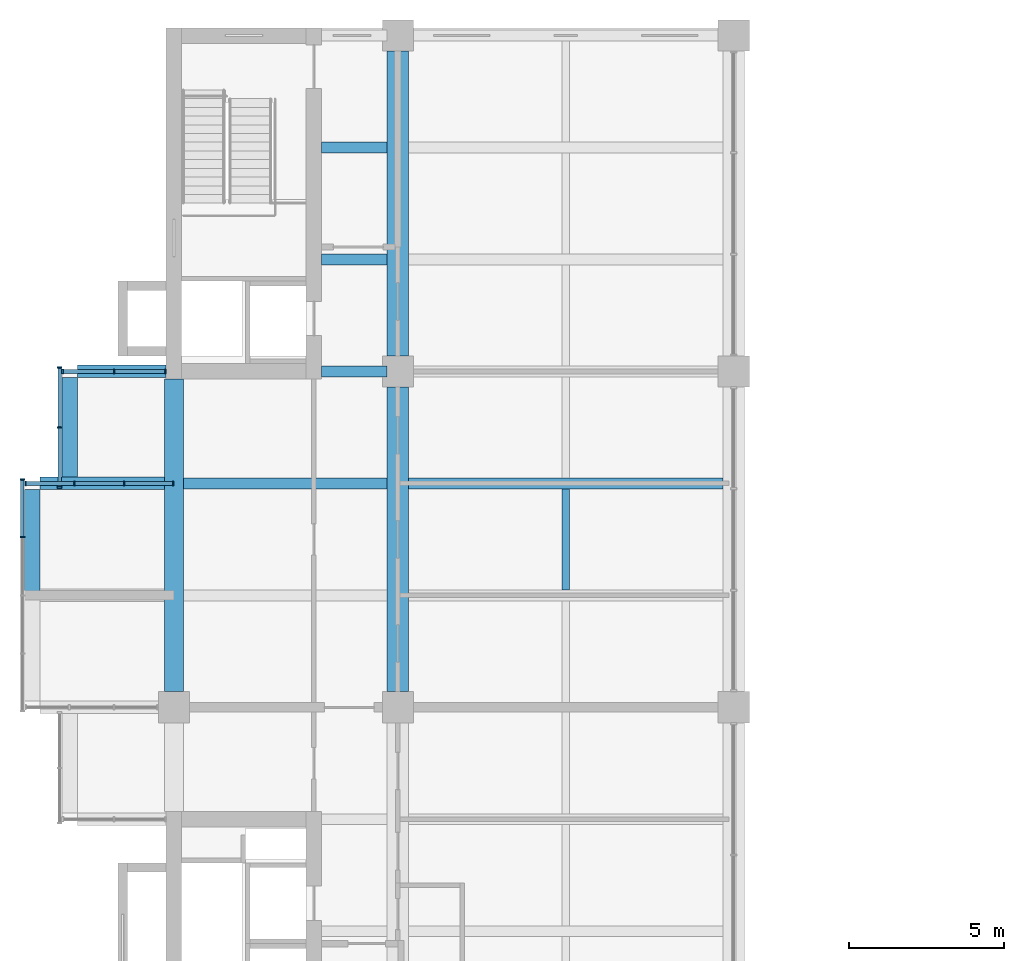
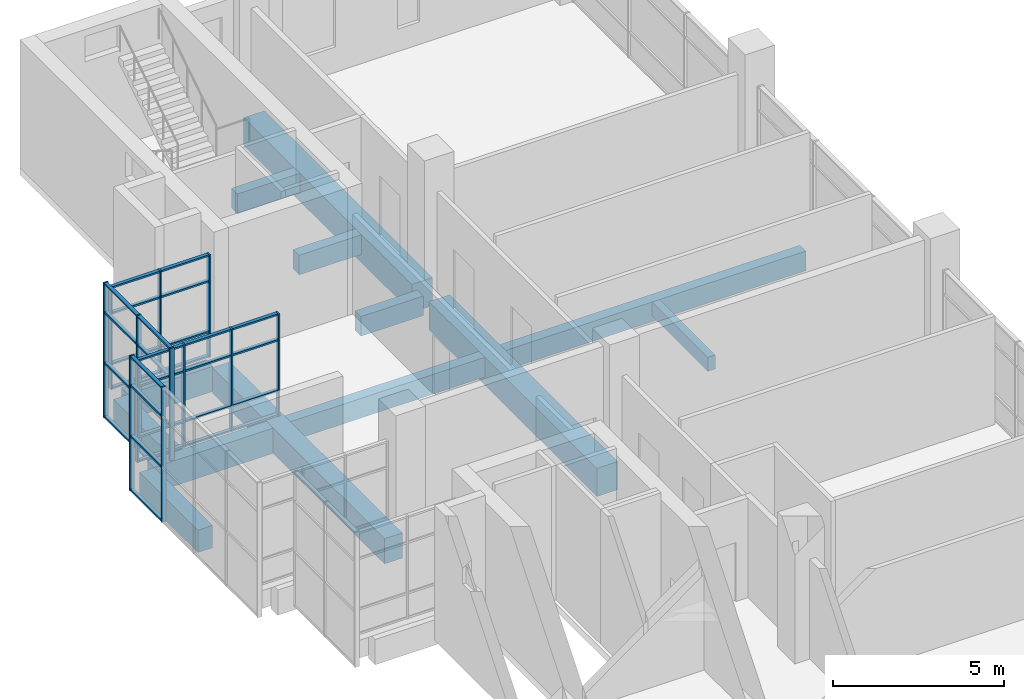
# One storey, part 11 of 35: 44 members, 13 beams, 4 elements without a shape of their own.
"""IFC4 building model written with IfcOpenShell, lengths in metres."""

from ifc_helpers import new_model, si_unit, direction, frame, origin, origin_2d, place, context, subcontext, project, spatial, rectangle, extrude, material, layer, layer_set, material_profile, profile_set, type_object, element, aggregate, save


model = new_model("IFC4")

# Units and contexts
model_context = context("Model", 3, precision=1e-05, world=origin(), true_north=direction((0.0, 1.0)))
body_context = subcontext(model_context, "Body", "Model", "MODEL_VIEW")
ifc_project = project(units=[si_unit("LENGTHUNIT", "METRE"), si_unit("AREAUNIT", "SQUARE_METRE"), si_unit("VOLUMEUNIT", "CUBIC_METRE"), si_unit("PLANEANGLEUNIT", "RADIAN"), si_unit("MASSUNIT", "GRAM", prefix="KILO")], contexts=[model_context])

# Site, building, storey
site_placement = place(None, origin())
site = spatial("IfcSite", under=ifc_project, at=site_placement, CompositionType="ELEMENT")
building_placement = place(site_placement, origin())
building = spatial("IfcBuilding", under=site, at=building_placement, Name="Basin Gate Institute", CompositionType="ELEMENT")
storey_placement = place(building_placement, frame((0.0, 0.0, 31.800048828125)))
storey = spatial("IfcBuildingStorey", under=building, at=storey_placement, Name="L06", CompositionType="ELEMENT", Elevation=31.800048828125)

# Beams
ifc_material_1 = material(Name="Concrete 40 MPa", Category="concrete")
ifc_material_profile_1 = material_profile(ifc_material_1, rectangle(XDim=0.35009765625, YDim=0.699951171875, at=origin_2d()), Name="Beam B1 350 x 700")
ifc_profile_set_1 = profile_set([ifc_material_profile_1], Name="Concrete 40 MPa")
beam_type_1 = type_object("IfcBeamType", Name="Beam B1 R120", PredefinedType="BEAM", material=ifc_profile_set_1)
beam_1_placement = place(storey_placement, frame((68.75, 85.5, -0.60009765625), z_axis=(1.0, 0.0, 0.0), x_axis=(0.0, 1.0, 0.0)))
element("IfcBeam", 1, at=beam_1_placement, inside=storey, type_object=beam_type_1, material=ifc_profile_set_1, Name="BEAM/L06/W/EW/15", PredefinedType="BEAM", context=body_context, shape_type="SweptSolid", body=[
    extrude(rectangle(XDim=0.35009765625, YDim=0.699951171875, at=origin_2d()), origin(), (0.0, 0.0, 1.0), 10.10009765625),
])
beam_2_placement = place(storey_placement, frame((61.5, 85.5, -0.60009765625), z_axis=(1.0, 0.0, 0.0), x_axis=(0.0, 1.0, 0.0)))
element("IfcBeam", 2, at=beam_2_placement, inside=storey, type_object=beam_type_1, material=ifc_profile_set_1, Name="BEAM/L06/W/OUT/15", PredefinedType="BEAM", context=body_context, shape_type="SweptSolid", body=[
    extrude(rectangle(XDim=0.35009765625, YDim=0.699951171875, at=origin_2d()), origin(), (0.0, 0.0, 1.0), 6.550048828125),
])
for number, where, z_axis, x_axis, name in (
    (3, (65.949951171875, 89.10009765625, -0.60009765625), (1.0, 0.0, 0.0), (0.0, 1.0, 0.0), "BEAM/L06/W/CORR/16"),
    (4, (65.949951171875, 92.699951171875, -0.60009765625), (1.0, 0.0, 0.0), (0.0, 1.0, 0.0), "BEAM/L06/W/CORR/17"),
    (5, (65.949951171875, 96.300048828125, -0.60009765625), (1.0, 0.0, 0.0), (0.0, 1.0, 0.0), "BEAM/L06/W/CORR/18"),
):
    element("IfcBeam", number, at=place(storey_placement, frame(where, z_axis=z_axis, x_axis=x_axis)), inside=storey, type_object=beam_type_1, material=ifc_profile_set_1, Name=name, PredefinedType="BEAM", context=body_context, shape_type="SweptSolid", body=[
        extrude(rectangle(XDim=0.35009765625, YDim=0.699951171875, at=origin_2d()), origin(), (0.0, 0.0, 1.0), 2.10009765625),
    ])
ifc_material_2 = material(Name="Concrete 50 MPa", Category="concrete")
ifc_material_profile_2 = material_profile(ifc_material_2, rectangle(XDim=0.39990234375, YDim=0.89990234375, at=origin_2d()), Name="Cantilever beam B3 400 x 900")
ifc_profile_set_2 = profile_set([ifc_material_profile_2], Name="Concrete 50 MPa")
beam_type_2 = type_object("IfcBeamType", Name="Cantilever beam B3 R120", PredefinedType="BEAM", material=ifc_profile_set_2)
beam_3_placement = place(storey_placement, frame((56.89990234375, 85.5, -0.699951171875), z_axis=(1.0, 0.0, 0.0), x_axis=(0.0, 1.0, 0.0)))
element("IfcBeam", 6, at=beam_3_placement, inside=storey, type_object=beam_type_2, material=ifc_profile_set_2, Name="BEAM/L06/W/CANT/15", PredefinedType="BEAM", context=body_context, shape_type="SweptSolid", body=[
    extrude(rectangle(XDim=0.39990234375, YDim=0.89990234375, at=origin_2d()), origin(), (0.0, 0.0, 1.0), 4.0),
])
beam_4_placement = place(storey_placement, frame((58.10009765625, 89.10009765625, -0.699951171875), z_axis=(1.0, 0.0, 0.0), x_axis=(0.0, 1.0, 0.0)))
element("IfcBeam", 7, at=beam_4_placement, inside=storey, type_object=beam_type_2, material=ifc_profile_set_2, Name="BEAM/L06/W/CANT/16", PredefinedType="BEAM", context=body_context, shape_type="SweptSolid", body=[
    extrude(rectangle(XDim=0.39990234375, YDim=0.89990234375, at=origin_2d()), origin(), (0.0, 0.0, 1.0), 2.849853515625),
])
ifc_material_3 = material(Name="Concrete 50 MPa", Category="concrete")
ifc_material_profile_3 = material_profile(ifc_material_3, rectangle(XDim=0.60009765625, YDim=0.89990234375, at=origin_2d()), Name="Edge beam EB1 600 x 900")
ifc_profile_set_3 = profile_set([ifc_material_profile_3], Name="Concrete 50 MPa")
beam_type_3 = type_object("IfcBeamType", Name="Edge beam EB1 R120", PredefinedType="SPANDREL", material=ifc_profile_set_3)
beam_5_placement = place(storey_placement, frame((61.199951171875, 78.800048828125, -0.699951171875), z_axis=(0.0, 1.0, 0.0), x_axis=(-1.0, 0.0, 0.0)))
element("IfcBeam", 8, at=beam_5_placement, inside=storey, type_object=beam_type_3, material=ifc_profile_set_3, Name="BEAM/L06/W/EDGE/4", PredefinedType="SPANDREL", context=body_context, shape_type="SweptSolid", body=[
    extrude(rectangle(XDim=0.60009765625, YDim=0.89990234375, at=origin_2d()), origin(), (0.0, 0.0, 1.0), 10.050048828125),
])
ifc_material_4 = material(Name="Concrete 50 MPa", Category="concrete")
ifc_material_profile_4 = material_profile(ifc_material_4, rectangle(XDim=0.699951171875, YDim=1.0, at=origin_2d()), Name="Girder G1 700 x 1000")
ifc_profile_set_4 = profile_set([ifc_material_profile_4], Name="Concrete 50 MPa")
beam_type_4 = type_object("IfcBeamType", Name="Girder G1 R120", PredefinedType="BEAM", material=ifc_profile_set_4)
beam_6_placement = place(storey_placement, frame((68.39990234375, 78.800048828125, -0.75), z_axis=(0.0, 1.0, 0.0), x_axis=(-1.0, 0.0, 0.0)))
element("IfcBeam", 9, at=beam_6_placement, inside=storey, type_object=beam_type_4, material=ifc_profile_set_4, Name="GIR/L06/W5/5", PredefinedType="BEAM", context=body_context, shape_type="SweptSolid", body=[
    extrude(rectangle(XDim=0.699951171875, YDim=1.0, at=origin_2d()), origin(), (0.0, 0.0, 1.0), 9.800048828125),
])
beam_7_placement = place(storey_placement, frame((68.39990234375, 89.60009765625, -0.75), z_axis=(0.0, 1.0, 0.0), x_axis=(-1.0, 0.0, 0.0)))
element("IfcBeam", 10, at=beam_7_placement, inside=storey, type_object=beam_type_4, material=ifc_profile_set_4, Name="GIR/L06/W5/6", PredefinedType="BEAM", context=body_context, shape_type="SweptSolid", body=[
    extrude(rectangle(XDim=0.699951171875, YDim=1.0, at=origin_2d()), origin(), (0.0, 0.0, 1.0), 9.7998046875),
])

# Curtain wall, members
ifc_material_5 = material(Name="Aluminium-framed glazing", Category="aluminium")
ifc_layer = layer(ifc_material_5, 0.14990234375)
ifc_layer_set = layer_set([ifc_layer], Name="Capsule front curtain wall CW1")
curtain_wall_type = type_object("IfcCurtainWallType", Name="Capsule front curtain wall CW1", PredefinedType="NOTDEFINED", material=ifc_layer_set)
curtain_wall_1_placement = place(storey_placement, origin())
curtain_wall_1 = element("IfcCurtainWall", 11, at=curtain_wall_1_placement, inside=storey, type_object=curtain_wall_type, material=ifc_layer_set, Name="Capsule front curtain wall W wing capsule end L06 line 15", PredefinedType="NOTDEFINED")
ifc_material_6 = material(Name="Aluminium", Category="aluminium")
ifc_material_profile_5 = material_profile(ifc_material_6, rectangle(XDim=0.14990234375, YDim=0.050048828125, at=origin_2d()), Name="Mullion MU1 150 x 50")
ifc_profile_set_5 = profile_set([ifc_material_profile_5], Name="Aluminium")
member_type_1 = type_object("IfcMemberType", Name="Mullion MU1", PredefinedType="MULLION", material=ifc_profile_set_5)
member_1_placement = place(storey_placement, frame((56.425048828125, 85.5, 0.0), z_axis=(0.0, 0.0, 1.0), x_axis=(0.0, 1.0, 0.0)))
member_1 = element("IfcMember", 12, at=member_1_placement, type_object=member_type_1, material=ifc_profile_set_5, Name="CW1 mullion 1", PredefinedType="MULLION", context=body_context, shape_type="SweptSolid", body=[
    extrude(rectangle(XDim=0.14990234375, YDim=0.050048828125, at=origin_2d()), origin(), (0.0, 0.0, 1.0), 3.64990234375),
])
member_2_placement = place(storey_placement, frame((58.0, 85.5, 0.0), z_axis=(0.0, 0.0, 1.0), x_axis=(0.0, 1.0, 0.0)))
member_2 = element("IfcMember", 13, at=member_2_placement, type_object=member_type_1, material=ifc_profile_set_5, Name="CW1 mullion 2", PredefinedType="MULLION", context=body_context, shape_type="SweptSolid", body=[
    extrude(rectangle(XDim=0.14990234375, YDim=0.050048828125, at=origin_2d()), origin(), (0.0, 0.0, 1.0), 3.64990234375),
])
member_3_placement = place(storey_placement, frame((59.60009765625, 85.5, 0.0), z_axis=(0.0, 0.0, 1.0), x_axis=(0.0, 1.0, 0.0)))
member_3 = element("IfcMember", 14, at=member_3_placement, type_object=member_type_1, material=ifc_profile_set_5, Name="CW1 mullion 3", PredefinedType="MULLION", context=body_context, shape_type="SweptSolid", body=[
    extrude(rectangle(XDim=0.14990234375, YDim=0.050048828125, at=origin_2d()), origin(), (0.0, 0.0, 1.0), 3.64990234375),
])
member_4_placement = place(storey_placement, frame((61.175048828125, 85.5, 0.0), z_axis=(0.0, 0.0, 1.0), x_axis=(0.0, 1.0, 0.0)))
member_4 = element("IfcMember", 15, at=member_4_placement, type_object=member_type_1, material=ifc_profile_set_5, Name="CW1 mullion 4", PredefinedType="MULLION", context=body_context, shape_type="SweptSolid", body=[
    extrude(rectangle(XDim=0.14990234375, YDim=0.050048828125, at=origin_2d()), origin(), (0.0, 0.0, 1.0), 3.64990234375),
])

curtain_wall_2_placement = place(storey_placement, origin())
curtain_wall_2 = element("IfcCurtainWall", 16, at=curtain_wall_2_placement, inside=storey, type_object=curtain_wall_type, material=ifc_layer_set, Name="Capsule front curtain wall W wing capsule end L06 line 16", PredefinedType="NOTDEFINED")
member_5_placement = place(storey_placement, frame((57.625, 89.10009765625, 0.0), z_axis=(0.0, 0.0, 1.0), x_axis=(0.0, 1.0, 0.0)))
member_5 = element("IfcMember", 17, at=member_5_placement, type_object=member_type_1, material=ifc_profile_set_5, Name="CW1 mullion 1", PredefinedType="MULLION", context=body_context, shape_type="SweptSolid", body=[
    extrude(rectangle(XDim=0.14990234375, YDim=0.050048828125, at=origin_2d()), origin(), (0.0, 0.0, 1.0), 3.64990234375),
])
member_6_placement = place(storey_placement, frame((59.27490234375, 89.10009765625, 0.0), z_axis=(0.0, 0.0, 1.0), x_axis=(0.0, 1.0, 0.0)))
member_6 = element("IfcMember", 18, at=member_6_placement, type_object=member_type_1, material=ifc_profile_set_5, Name="CW1 mullion 2", PredefinedType="MULLION", context=body_context, shape_type="SweptSolid", body=[
    extrude(rectangle(XDim=0.14990234375, YDim=0.050048828125, at=origin_2d()), origin(), (0.0, 0.0, 1.0), 3.64990234375),
])
member_7_placement = place(storey_placement, frame((60.925048828125, 89.10009765625, 0.0), z_axis=(0.0, 0.0, 1.0), x_axis=(0.0, 1.0, 0.0)))
member_7 = element("IfcMember", 19, at=member_7_placement, type_object=member_type_1, material=ifc_profile_set_5, Name="CW1 mullion 3", PredefinedType="MULLION", context=body_context, shape_type="SweptSolid", body=[
    extrude(rectangle(XDim=0.14990234375, YDim=0.050048828125, at=origin_2d()), origin(), (0.0, 0.0, 1.0), 3.64990234375),
])

curtain_wall_3_placement = place(storey_placement, origin())
curtain_wall_3 = element("IfcCurtainWall", 20, at=curtain_wall_3_placement, inside=storey, type_object=curtain_wall_type, material=ifc_layer_set, Name="Capsule front curtain wall W wing capsule 2 L06 front 2", PredefinedType="NOTDEFINED")
member_8_placement = place(storey_placement, frame((56.324951171875, 83.77490234375, -1.050048828125), z_axis=(0.0, 0.0, 1.0), x_axis=(-1.0, 0.0, 0.0)))
member_8 = element("IfcMember", 21, at=member_8_placement, type_object=member_type_1, material=ifc_profile_set_5, Name="CW1 mullion 4", PredefinedType="MULLION", context=body_context, shape_type="SweptSolid", body=[
    extrude(rectangle(XDim=0.14990234375, YDim=0.050048828125, at=origin_2d()), origin(), (0.0, 0.0, 1.0), 4.800048828125),
])
member_9_placement = place(storey_placement, frame((56.324951171875, 85.625, -1.050048828125), z_axis=(0.0, 0.0, 1.0), x_axis=(-1.0, 0.0, 0.0)))
member_9 = element("IfcMember", 22, at=member_9_placement, type_object=member_type_1, material=ifc_profile_set_5, Name="CW1 mullion 5", PredefinedType="MULLION", context=body_context, shape_type="SweptSolid", body=[
    extrude(rectangle(XDim=0.14990234375, YDim=0.050048828125, at=origin_2d()), origin(), (0.0, 0.0, 1.0), 4.800048828125),
])

curtain_wall_4_placement = place(storey_placement, origin())
curtain_wall_4 = element("IfcCurtainWall", 23, at=curtain_wall_4_placement, inside=storey, type_object=curtain_wall_type, material=ifc_layer_set, Name="Capsule front curtain wall W wing capsule 2 L06 front 4", PredefinedType="NOTDEFINED")
member_10_placement = place(storey_placement, frame((57.52490234375, 85.375, -1.050048828125), z_axis=(0.0, 0.0, 1.0), x_axis=(-1.0, 0.0, 0.0)))
member_10 = element("IfcMember", 24, at=member_10_placement, type_object=member_type_1, material=ifc_profile_set_5, Name="CW1 mullion 1", PredefinedType="MULLION", context=body_context, shape_type="SweptSolid", body=[
    extrude(rectangle(XDim=0.14990234375, YDim=0.050048828125, at=origin_2d()), origin(), (0.0, 0.0, 1.0), 4.800048828125),
])
member_11_placement = place(storey_placement, frame((57.52490234375, 87.300048828125, -1.050048828125), z_axis=(0.0, 0.0, 1.0), x_axis=(-1.0, 0.0, 0.0)))
member_11 = element("IfcMember", 25, at=member_11_placement, type_object=member_type_1, material=ifc_profile_set_5, Name="CW1 mullion 2", PredefinedType="MULLION", context=body_context, shape_type="SweptSolid", body=[
    extrude(rectangle(XDim=0.14990234375, YDim=0.050048828125, at=origin_2d()), origin(), (0.0, 0.0, 1.0), 4.800048828125),
])
member_12_placement = place(storey_placement, frame((57.52490234375, 89.22509765625, -1.050048828125), z_axis=(0.0, 0.0, 1.0), x_axis=(-1.0, 0.0, 0.0)))
member_12 = element("IfcMember", 26, at=member_12_placement, type_object=member_type_1, material=ifc_profile_set_5, Name="CW1 mullion 3", PredefinedType="MULLION", context=body_context, shape_type="SweptSolid", body=[
    extrude(rectangle(XDim=0.14990234375, YDim=0.050048828125, at=origin_2d()), origin(), (0.0, 0.0, 1.0), 4.800048828125),
])

# Beams
ifc_material_7 = material(Name="Concrete 40 MPa", Category="concrete")
ifc_material_profile_6 = material_profile(ifc_material_7, rectangle(XDim=0.25, YDim=0.5, at=origin_2d()), Name="Rib R1 250 x 500")
ifc_profile_set_6 = profile_set([ifc_material_profile_6], Name="Concrete 40 MPa")
beam_type_5 = type_object("IfcBeamType", Name="Rib R1 R120", PredefinedType="JOIST", material=ifc_profile_set_6)
beam_8_placement = place(storey_placement, frame((73.800048828125, 82.074951171875, -0.5), z_axis=(0.0, 1.0, 0.0), x_axis=(-1.0, 0.0, 0.0)))
element("IfcBeam", 27, at=beam_8_placement, inside=storey, type_object=beam_type_5, material=ifc_profile_set_6, Name="BEAM/L06/W/RIB/14", PredefinedType="JOIST", context=body_context, shape_type="SweptSolid", body=[
    extrude(rectangle(XDim=0.25, YDim=0.5, at=origin_2d()), origin(), (0.0, 0.0, 1.0), 3.25),
])
ifc_material_8 = material(Name="Concrete 50 MPa", Category="concrete")
ifc_material_profile_7 = material_profile(ifc_material_8, rectangle(XDim=0.5, YDim=0.800048828125, at=origin_2d()), Name="Tip beam TB1 500 x 800")
ifc_profile_set_7 = profile_set([ifc_material_profile_7], Name="Concrete 50 MPa")
beam_type_6 = type_object("IfcBeamType", Name="Tip beam TB1 R120", PredefinedType="SPANDREL", material=ifc_profile_set_7)
beam_9_placement = place(storey_placement, frame((56.64990234375, 81.89990234375, -0.650146484375), z_axis=(0.0, 1.0, 0.0), x_axis=(-1.0, 0.0, 0.0)))
element("IfcBeam", 28, at=beam_9_placement, inside=storey, type_object=beam_type_6, material=ifc_profile_set_7, Name="BEAM/L06/W/TIP/7", PredefinedType="SPANDREL", context=body_context, shape_type="SweptSolid", body=[
    extrude(rectangle(XDim=0.5, YDim=0.800048828125, at=origin_2d()), origin(), (0.0, 0.0, 1.0), 3.400146484375),
])
beam_10_placement = place(storey_placement, frame((57.85009765625, 85.699951171875, -0.650146484375), z_axis=(0.0, 1.0, 0.0), x_axis=(-1.0, 0.0, 0.0)))
element("IfcBeam", 29, at=beam_10_placement, inside=storey, type_object=beam_type_6, material=ifc_profile_set_7, Name="BEAM/L06/W/TIP/8", PredefinedType="SPANDREL", context=body_context, shape_type="SweptSolid", body=[
    extrude(rectangle(XDim=0.5, YDim=0.800048828125, at=origin_2d()), origin(), (0.0, 0.0, 1.0), 3.199951171875),
])

# Member
ifc_material_9 = material(Name="Aluminium", Category="aluminium")
ifc_material_profile_8 = material_profile(ifc_material_9, rectangle(XDim=0.1201171875, YDim=0.06005859375, at=origin_2d()), Name="Transom TR1 120 x 60")
ifc_profile_set_8 = profile_set([ifc_material_profile_8], Name="Aluminium")
member_type_2 = type_object("IfcMemberType", Name="Transom TR1", PredefinedType="USERDEFINED", material=ifc_profile_set_8)
member_13_placement = place(storey_placement, frame((56.449951171875, 85.5, 0.030029296875), z_axis=(1.0, 0.0, 0.0), x_axis=(0.0, 1.0, 0.0)))
member_13 = element("IfcMember", 30, at=member_13_placement, type_object=member_type_2, material=ifc_profile_set_8, Name="CW1 transom 1.1", ObjectType="TRANSOM", PredefinedType="USERDEFINED", context=body_context, shape_type="SweptSolid", body=[
    extrude(rectangle(XDim=0.1201171875, YDim=0.06005859375, at=origin_2d()), origin(), (0.0, 0.0, 1.0), 1.525146484375),
])

member_14_placement = place(storey_placement, frame((56.449951171875, 85.5, 0.89990234375), z_axis=(1.0, 0.0, 0.0), x_axis=(0.0, 1.0, 0.0)))
member_14 = element("IfcMember", 31, at=member_14_placement, type_object=member_type_2, material=ifc_profile_set_8, Name="CW1 transom 1.2", ObjectType="TRANSOM", PredefinedType="USERDEFINED", context=body_context, shape_type="SweptSolid", body=[
    extrude(rectangle(XDim=0.1201171875, YDim=0.06005859375, at=origin_2d()), origin(), (0.0, 0.0, 1.0), 1.525146484375),
])

member_15_placement = place(storey_placement, frame((56.449951171875, 85.5, 2.699951171875), z_axis=(1.0, 0.0, 0.0), x_axis=(0.0, 1.0, 0.0)))
member_15 = element("IfcMember", 32, at=member_15_placement, type_object=member_type_2, material=ifc_profile_set_8, Name="CW1 transom 1.3", ObjectType="TRANSOM", PredefinedType="USERDEFINED", context=body_context, shape_type="SweptSolid", body=[
    extrude(rectangle(XDim=0.1201171875, YDim=0.06005859375, at=origin_2d()), origin(), (0.0, 0.0, 1.0), 1.525146484375),
])

member_16_placement = place(storey_placement, frame((56.449951171875, 85.5, 3.619873046875), z_axis=(1.0, 0.0, 0.0), x_axis=(0.0, 1.0, 0.0)))
member_16 = element("IfcMember", 33, at=member_16_placement, type_object=member_type_2, material=ifc_profile_set_8, Name="CW1 transom 1.4", ObjectType="TRANSOM", PredefinedType="USERDEFINED", context=body_context, shape_type="SweptSolid", body=[
    extrude(rectangle(XDim=0.1201171875, YDim=0.06005859375, at=origin_2d()), origin(), (0.0, 0.0, 1.0), 1.525146484375),
])

member_17_placement = place(storey_placement, frame((58.02490234375, 85.5, 0.030029296875), z_axis=(1.0, 0.0, 0.0), x_axis=(0.0, 1.0, 0.0)))
member_17 = element("IfcMember", 34, at=member_17_placement, type_object=member_type_2, material=ifc_profile_set_8, Name="CW1 transom 2.1", ObjectType="TRANSOM", PredefinedType="USERDEFINED", context=body_context, shape_type="SweptSolid", body=[
    extrude(rectangle(XDim=0.1201171875, YDim=0.06005859375, at=origin_2d()), origin(), (0.0, 0.0, 1.0), 1.550048828125),
])

member_18_placement = place(storey_placement, frame((58.02490234375, 85.5, 0.89990234375), z_axis=(1.0, 0.0, 0.0), x_axis=(0.0, 1.0, 0.0)))
member_18 = element("IfcMember", 35, at=member_18_placement, type_object=member_type_2, material=ifc_profile_set_8, Name="CW1 transom 2.2", ObjectType="TRANSOM", PredefinedType="USERDEFINED", context=body_context, shape_type="SweptSolid", body=[
    extrude(rectangle(XDim=0.1201171875, YDim=0.06005859375, at=origin_2d()), origin(), (0.0, 0.0, 1.0), 1.550048828125),
])

member_19_placement = place(storey_placement, frame((58.02490234375, 85.5, 2.699951171875), z_axis=(1.0, 0.0, 0.0), x_axis=(0.0, 1.0, 0.0)))
member_19 = element("IfcMember", 36, at=member_19_placement, type_object=member_type_2, material=ifc_profile_set_8, Name="CW1 transom 2.3", ObjectType="TRANSOM", PredefinedType="USERDEFINED", context=body_context, shape_type="SweptSolid", body=[
    extrude(rectangle(XDim=0.1201171875, YDim=0.06005859375, at=origin_2d()), origin(), (0.0, 0.0, 1.0), 1.550048828125),
])

member_20_placement = place(storey_placement, frame((58.02490234375, 85.5, 3.619873046875), z_axis=(1.0, 0.0, 0.0), x_axis=(0.0, 1.0, 0.0)))
member_20 = element("IfcMember", 37, at=member_20_placement, type_object=member_type_2, material=ifc_profile_set_8, Name="CW1 transom 2.4", ObjectType="TRANSOM", PredefinedType="USERDEFINED", context=body_context, shape_type="SweptSolid", body=[
    extrude(rectangle(XDim=0.1201171875, YDim=0.06005859375, at=origin_2d()), origin(), (0.0, 0.0, 1.0), 1.550048828125),
])

member_21_placement = place(storey_placement, frame((59.625, 85.5, 0.030029296875), z_axis=(1.0, 0.0, 0.0), x_axis=(0.0, 1.0, 0.0)))
member_21 = element("IfcMember", 38, at=member_21_placement, type_object=member_type_2, material=ifc_profile_set_8, Name="CW1 transom 3.1", ObjectType="TRANSOM", PredefinedType="USERDEFINED", context=body_context, shape_type="SweptSolid", body=[
    extrude(rectangle(XDim=0.1201171875, YDim=0.06005859375, at=origin_2d()), origin(), (0.0, 0.0, 1.0), 1.52490234375),
])

member_22_placement = place(storey_placement, frame((59.625, 85.5, 0.89990234375), z_axis=(1.0, 0.0, 0.0), x_axis=(0.0, 1.0, 0.0)))
member_22 = element("IfcMember", 39, at=member_22_placement, type_object=member_type_2, material=ifc_profile_set_8, Name="CW1 transom 3.2", ObjectType="TRANSOM", PredefinedType="USERDEFINED", context=body_context, shape_type="SweptSolid", body=[
    extrude(rectangle(XDim=0.1201171875, YDim=0.06005859375, at=origin_2d()), origin(), (0.0, 0.0, 1.0), 1.52490234375),
])

member_23_placement = place(storey_placement, frame((59.625, 85.5, 2.699951171875), z_axis=(1.0, 0.0, 0.0), x_axis=(0.0, 1.0, 0.0)))
member_23 = element("IfcMember", 40, at=member_23_placement, type_object=member_type_2, material=ifc_profile_set_8, Name="CW1 transom 3.3", ObjectType="TRANSOM", PredefinedType="USERDEFINED", context=body_context, shape_type="SweptSolid", body=[
    extrude(rectangle(XDim=0.1201171875, YDim=0.06005859375, at=origin_2d()), origin(), (0.0, 0.0, 1.0), 1.52490234375),
])

member_24_placement = place(storey_placement, frame((59.625, 85.5, 3.619873046875), z_axis=(1.0, 0.0, 0.0), x_axis=(0.0, 1.0, 0.0)))
member_24 = element("IfcMember", 41, at=member_24_placement, type_object=member_type_2, material=ifc_profile_set_8, Name="CW1 transom 3.4", ObjectType="TRANSOM", PredefinedType="USERDEFINED", context=body_context, shape_type="SweptSolid", body=[
    extrude(rectangle(XDim=0.1201171875, YDim=0.06005859375, at=origin_2d()), origin(), (0.0, 0.0, 1.0), 1.52490234375),
])

aggregate(curtain_wall_1, [member_1, member_2, member_3, member_4, member_13, member_14, member_15, member_16, member_17, member_18, member_19, member_20, member_21, member_22, member_23, member_24])

member_25_placement = place(storey_placement, frame((57.64990234375, 89.10009765625, 0.030029296875), z_axis=(1.0, 0.0, 0.0), x_axis=(0.0, 1.0, 0.0)))
member_25 = element("IfcMember", 42, at=member_25_placement, type_object=member_type_2, material=ifc_profile_set_8, Name="CW1 transom 1.1", ObjectType="TRANSOM", PredefinedType="USERDEFINED", context=body_context, shape_type="SweptSolid", body=[
    extrude(rectangle(XDim=0.1201171875, YDim=0.06005859375, at=origin_2d()), origin(), (0.0, 0.0, 1.0), 1.60009765625),
])

member_26_placement = place(storey_placement, frame((57.64990234375, 89.10009765625, 0.89990234375), z_axis=(1.0, 0.0, 0.0), x_axis=(0.0, 1.0, 0.0)))
member_26 = element("IfcMember", 43, at=member_26_placement, type_object=member_type_2, material=ifc_profile_set_8, Name="CW1 transom 1.2", ObjectType="TRANSOM", PredefinedType="USERDEFINED", context=body_context, shape_type="SweptSolid", body=[
    extrude(rectangle(XDim=0.1201171875, YDim=0.06005859375, at=origin_2d()), origin(), (0.0, 0.0, 1.0), 1.60009765625),
])

member_27_placement = place(storey_placement, frame((57.64990234375, 89.10009765625, 2.699951171875), z_axis=(1.0, 0.0, 0.0), x_axis=(0.0, 1.0, 0.0)))
member_27 = element("IfcMember", 44, at=member_27_placement, type_object=member_type_2, material=ifc_profile_set_8, Name="CW1 transom 1.3", ObjectType="TRANSOM", PredefinedType="USERDEFINED", context=body_context, shape_type="SweptSolid", body=[
    extrude(rectangle(XDim=0.1201171875, YDim=0.06005859375, at=origin_2d()), origin(), (0.0, 0.0, 1.0), 1.60009765625),
])

member_28_placement = place(storey_placement, frame((57.64990234375, 89.10009765625, 3.619873046875), z_axis=(1.0, 0.0, 0.0), x_axis=(0.0, 1.0, 0.0)))
member_28 = element("IfcMember", 45, at=member_28_placement, type_object=member_type_2, material=ifc_profile_set_8, Name="CW1 transom 1.4", ObjectType="TRANSOM", PredefinedType="USERDEFINED", context=body_context, shape_type="SweptSolid", body=[
    extrude(rectangle(XDim=0.1201171875, YDim=0.06005859375, at=origin_2d()), origin(), (0.0, 0.0, 1.0), 1.60009765625),
])

member_29_placement = place(storey_placement, frame((59.300048828125, 89.10009765625, 0.030029296875), z_axis=(1.0, 0.0, 0.0), x_axis=(0.0, 1.0, 0.0)))
member_29 = element("IfcMember", 46, at=member_29_placement, type_object=member_type_2, material=ifc_profile_set_8, Name="CW1 transom 2.1", ObjectType="TRANSOM", PredefinedType="USERDEFINED", context=body_context, shape_type="SweptSolid", body=[
    extrude(rectangle(XDim=0.1201171875, YDim=0.06005859375, at=origin_2d()), origin(), (0.0, 0.0, 1.0), 1.599853515625),
])

member_30_placement = place(storey_placement, frame((59.300048828125, 89.10009765625, 0.89990234375), z_axis=(1.0, 0.0, 0.0), x_axis=(0.0, 1.0, 0.0)))
member_30 = element("IfcMember", 47, at=member_30_placement, type_object=member_type_2, material=ifc_profile_set_8, Name="CW1 transom 2.2", ObjectType="TRANSOM", PredefinedType="USERDEFINED", context=body_context, shape_type="SweptSolid", body=[
    extrude(rectangle(XDim=0.1201171875, YDim=0.06005859375, at=origin_2d()), origin(), (0.0, 0.0, 1.0), 1.599853515625),
])

member_31_placement = place(storey_placement, frame((59.300048828125, 89.10009765625, 2.699951171875), z_axis=(1.0, 0.0, 0.0), x_axis=(0.0, 1.0, 0.0)))
member_31 = element("IfcMember", 48, at=member_31_placement, type_object=member_type_2, material=ifc_profile_set_8, Name="CW1 transom 2.3", ObjectType="TRANSOM", PredefinedType="USERDEFINED", context=body_context, shape_type="SweptSolid", body=[
    extrude(rectangle(XDim=0.1201171875, YDim=0.06005859375, at=origin_2d()), origin(), (0.0, 0.0, 1.0), 1.599853515625),
])

member_32_placement = place(storey_placement, frame((59.300048828125, 89.10009765625, 3.619873046875), z_axis=(1.0, 0.0, 0.0), x_axis=(0.0, 1.0, 0.0)))
member_32 = element("IfcMember", 49, at=member_32_placement, type_object=member_type_2, material=ifc_profile_set_8, Name="CW1 transom 2.4", ObjectType="TRANSOM", PredefinedType="USERDEFINED", context=body_context, shape_type="SweptSolid", body=[
    extrude(rectangle(XDim=0.1201171875, YDim=0.06005859375, at=origin_2d()), origin(), (0.0, 0.0, 1.0), 1.599853515625),
])

aggregate(curtain_wall_2, [member_5, member_6, member_7, member_25, member_26, member_27, member_28, member_29, member_30, member_31, member_32])

member_33_placement = place(storey_placement, frame((56.324951171875, 83.800048828125, -1.02001953125), z_axis=(0.0, 1.0, 0.0), x_axis=(-1.0, 0.0, 0.0)))
member_33 = element("IfcMember", 50, at=member_33_placement, type_object=member_type_2, material=ifc_profile_set_8, Name="CW1 transom 4.1", ObjectType="TRANSOM", PredefinedType="USERDEFINED", context=body_context, shape_type="SweptSolid", body=[
    extrude(rectangle(XDim=0.1201171875, YDim=0.06005859375, at=origin_2d()), origin(), (0.0, 0.0, 1.0), 1.800048828125),
])

member_34_placement = place(storey_placement, frame((56.324951171875, 83.800048828125, 0.89990234375), z_axis=(0.0, 1.0, 0.0), x_axis=(-1.0, 0.0, 0.0)))
member_34 = element("IfcMember", 51, at=member_34_placement, type_object=member_type_2, material=ifc_profile_set_8, Name="CW1 transom 4.2", ObjectType="TRANSOM", PredefinedType="USERDEFINED", context=body_context, shape_type="SweptSolid", body=[
    extrude(rectangle(XDim=0.1201171875, YDim=0.06005859375, at=origin_2d()), origin(), (0.0, 0.0, 1.0), 1.800048828125),
])

member_35_placement = place(storey_placement, frame((56.324951171875, 83.800048828125, 2.699951171875), z_axis=(0.0, 1.0, 0.0), x_axis=(-1.0, 0.0, 0.0)))
member_35 = element("IfcMember", 52, at=member_35_placement, type_object=member_type_2, material=ifc_profile_set_8, Name="CW1 transom 4.3", ObjectType="TRANSOM", PredefinedType="USERDEFINED", context=body_context, shape_type="SweptSolid", body=[
    extrude(rectangle(XDim=0.1201171875, YDim=0.06005859375, at=origin_2d()), origin(), (0.0, 0.0, 1.0), 1.800048828125),
])

member_36_placement = place(storey_placement, frame((56.324951171875, 83.800048828125, 3.719970703125), z_axis=(0.0, 1.0, 0.0), x_axis=(-1.0, 0.0, 0.0)))
member_36 = element("IfcMember", 53, at=member_36_placement, type_object=member_type_2, material=ifc_profile_set_8, Name="CW1 transom 4.4", ObjectType="TRANSOM", PredefinedType="USERDEFINED", context=body_context, shape_type="SweptSolid", body=[
    extrude(rectangle(XDim=0.1201171875, YDim=0.06005859375, at=origin_2d()), origin(), (0.0, 0.0, 1.0), 1.800048828125),
])

aggregate(curtain_wall_3, [member_8, member_9, member_33, member_34, member_35, member_36])

member_37_placement = place(storey_placement, frame((57.52490234375, 85.39990234375, -1.02001953125), z_axis=(0.0, 1.0, 0.0), x_axis=(-1.0, 0.0, 0.0)))
member_37 = element("IfcMember", 54, at=member_37_placement, type_object=member_type_2, material=ifc_profile_set_8, Name="CW1 transom 1.1", ObjectType="TRANSOM", PredefinedType="USERDEFINED", context=body_context, shape_type="SweptSolid", body=[
    extrude(rectangle(XDim=0.1201171875, YDim=0.06005859375, at=origin_2d()), origin(), (0.0, 0.0, 1.0), 1.875),
])

member_38_placement = place(storey_placement, frame((57.52490234375, 85.39990234375, 0.89990234375), z_axis=(0.0, 1.0, 0.0), x_axis=(-1.0, 0.0, 0.0)))
member_38 = element("IfcMember", 55, at=member_38_placement, type_object=member_type_2, material=ifc_profile_set_8, Name="CW1 transom 1.2", ObjectType="TRANSOM", PredefinedType="USERDEFINED", context=body_context, shape_type="SweptSolid", body=[
    extrude(rectangle(XDim=0.1201171875, YDim=0.06005859375, at=origin_2d()), origin(), (0.0, 0.0, 1.0), 1.875),
])

member_39_placement = place(storey_placement, frame((57.52490234375, 85.39990234375, 2.699951171875), z_axis=(0.0, 1.0, 0.0), x_axis=(-1.0, 0.0, 0.0)))
member_39 = element("IfcMember", 56, at=member_39_placement, type_object=member_type_2, material=ifc_profile_set_8, Name="CW1 transom 1.3", ObjectType="TRANSOM", PredefinedType="USERDEFINED", context=body_context, shape_type="SweptSolid", body=[
    extrude(rectangle(XDim=0.1201171875, YDim=0.06005859375, at=origin_2d()), origin(), (0.0, 0.0, 1.0), 1.875),
])

member_40_placement = place(storey_placement, frame((57.52490234375, 85.39990234375, 3.719970703125), z_axis=(0.0, 1.0, 0.0), x_axis=(-1.0, 0.0, 0.0)))
member_40 = element("IfcMember", 57, at=member_40_placement, type_object=member_type_2, material=ifc_profile_set_8, Name="CW1 transom 1.4", ObjectType="TRANSOM", PredefinedType="USERDEFINED", context=body_context, shape_type="SweptSolid", body=[
    extrude(rectangle(XDim=0.1201171875, YDim=0.06005859375, at=origin_2d()), origin(), (0.0, 0.0, 1.0), 1.875),
])

member_41_placement = place(storey_placement, frame((57.52490234375, 87.324951171875, -1.02001953125), z_axis=(0.0, 1.0, 0.0), x_axis=(-1.0, 0.0, 0.0)))
member_41 = element("IfcMember", 58, at=member_41_placement, type_object=member_type_2, material=ifc_profile_set_8, Name="CW1 transom 2.1", ObjectType="TRANSOM", PredefinedType="USERDEFINED", context=body_context, shape_type="SweptSolid", body=[
    extrude(rectangle(XDim=0.1201171875, YDim=0.06005859375, at=origin_2d()), origin(), (0.0, 0.0, 1.0), 1.875),
])

member_42_placement = place(storey_placement, frame((57.52490234375, 87.324951171875, 0.89990234375), z_axis=(0.0, 1.0, 0.0), x_axis=(-1.0, 0.0, 0.0)))
member_42 = element("IfcMember", 59, at=member_42_placement, type_object=member_type_2, material=ifc_profile_set_8, Name="CW1 transom 2.2", ObjectType="TRANSOM", PredefinedType="USERDEFINED", context=body_context, shape_type="SweptSolid", body=[
    extrude(rectangle(XDim=0.1201171875, YDim=0.06005859375, at=origin_2d()), origin(), (0.0, 0.0, 1.0), 1.875),
])

member_43_placement = place(storey_placement, frame((57.52490234375, 87.324951171875, 2.699951171875), z_axis=(0.0, 1.0, 0.0), x_axis=(-1.0, 0.0, 0.0)))
member_43 = element("IfcMember", 60, at=member_43_placement, type_object=member_type_2, material=ifc_profile_set_8, Name="CW1 transom 2.3", ObjectType="TRANSOM", PredefinedType="USERDEFINED", context=body_context, shape_type="SweptSolid", body=[
    extrude(rectangle(XDim=0.1201171875, YDim=0.06005859375, at=origin_2d()), origin(), (0.0, 0.0, 1.0), 1.875),
])

member_44_placement = place(storey_placement, frame((57.52490234375, 87.324951171875, 3.719970703125), z_axis=(0.0, 1.0, 0.0), x_axis=(-1.0, 0.0, 0.0)))
member_44 = element("IfcMember", 61, at=member_44_placement, type_object=member_type_2, material=ifc_profile_set_8, Name="CW1 transom 2.4", ObjectType="TRANSOM", PredefinedType="USERDEFINED", context=body_context, shape_type="SweptSolid", body=[
    extrude(rectangle(XDim=0.1201171875, YDim=0.06005859375, at=origin_2d()), origin(), (0.0, 0.0, 1.0), 1.875),
])

aggregate(curtain_wall_4, [member_10, member_11, member_12, member_37, member_38, member_39, member_40, member_41, member_42, member_43, member_44])

save(model, "model.ifc")
